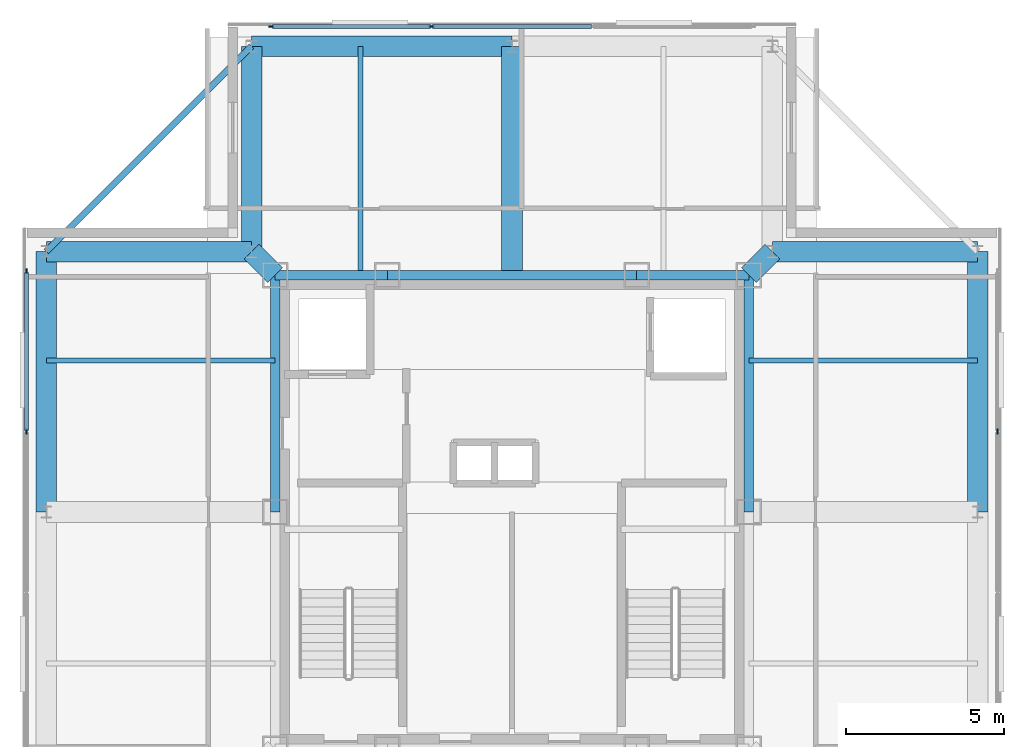
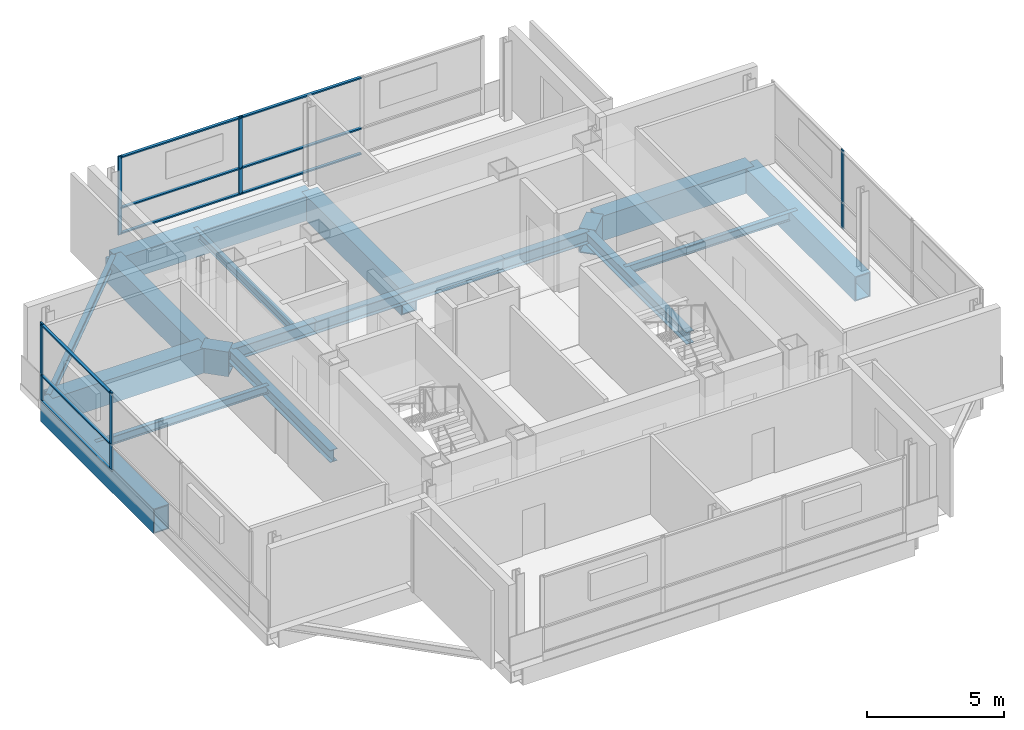
# One storey, part 4 of 10: 18 beams, 14 members, 3 elements without a shape of their own.
"""IFC4 building model written with IfcOpenShell, lengths in metres."""

from ifc_helpers import new_model, si_unit, direction, frame, origin, origin_2d, place, context, subcontext, project, spatial, rectangle, hollow_rectangle, i_section, extrude, material, layer, layer_set, material_profile, profile_set, type_object, element, aggregate, save


model = new_model("IFC4")

# Units and contexts
model_context = context("Model", 3, precision=1e-05, world=origin(), true_north=direction((0.0, 1.0)))
body_context = subcontext(model_context, "Body", "Model", "MODEL_VIEW")
ifc_project = project(units=[si_unit("LENGTHUNIT", "METRE"), si_unit("AREAUNIT", "SQUARE_METRE"), si_unit("VOLUMEUNIT", "CUBIC_METRE"), si_unit("PLANEANGLEUNIT", "RADIAN"), si_unit("MASSUNIT", "GRAM", prefix="KILO")], contexts=[model_context])

# Site, building, storey
site_placement = place(None, origin())
site = spatial("IfcSite", under=ifc_project, at=site_placement, CompositionType="ELEMENT")
building_placement = place(site_placement, origin())
building = spatial("IfcBuilding", under=site, at=building_placement, Name="Trevonay Congress Spire", CompositionType="ELEMENT")
storey_placement = place(building_placement, frame((0.0, 0.0, 319.800048828125)))
storey = spatial("IfcBuildingStorey", under=building, at=storey_placement, Name="L84", CompositionType="ELEMENT", Elevation=319.800048828125)

# Beams
ifc_material_1 = material(Name="Steel ASTM A572 Grade 50", Category="steel")
ifc_material_profile_1 = material_profile(ifc_material_1, i_section(OverallWidth=0.31201171875, OverallDepth=0.54296875, WebThickness=0.0126953125, FlangeThickness=0.020263671875, FilletRadius=0.014892578125, at=origin_2d()), Name="W530x150")
ifc_profile_set_1 = profile_set([ifc_material_profile_1], Name="Steel ASTM A572 Grade 50")
beam_type_1 = type_object("IfcBeamType", Name="BM-GIRD-W530X150", PredefinedType="BEAM", material=ifc_profile_set_1)
beam_1_placement = place(storey_placement, frame((-7.5, 7.5, -0.551513671875), z_axis=(1.0, 0.0, 0.0), x_axis=(0.0, 1.0, 0.0)))
element("IfcBeam", 1, at=beam_1_placement, inside=storey, type_object=beam_type_1, Name="L84 structural beam BM-L84-CR-N1", PredefinedType="BEAM", context=body_context, shape_type="SweptSolid", body=[
    extrude(i_section(OverallWidth=0.31201171875, OverallDepth=0.54296875, WebThickness=0.0126953125, FlangeThickness=0.020263671875, FilletRadius=0.014892578125, at=origin_2d()), origin(), (0.0, 0.0, 1.0), 3.550048828125),
])
beam_2_placement = place(storey_placement, frame((-3.949951171875, 7.5, -0.551513671875), z_axis=(1.0, 0.0, 0.0), x_axis=(0.0, 1.0, 0.0)))
element("IfcBeam", 2, at=beam_2_placement, inside=storey, type_object=beam_type_1, Name="L84 structural beam BM-L84-CR-N2", PredefinedType="BEAM", context=body_context, shape_type="SweptSolid", body=[
    extrude(i_section(OverallWidth=0.31201171875, OverallDepth=0.54296875, WebThickness=0.0126953125, FlangeThickness=0.020263671875, FilletRadius=0.014892578125, at=origin_2d()), origin(), (0.0, 0.0, 1.0), 7.89990234375),
])
beam_3_placement = place(storey_placement, frame((3.949951171875, 7.5, -0.551513671875), z_axis=(1.0, 0.0, 0.0), x_axis=(0.0, 1.0, 0.0)))
element("IfcBeam", 3, at=beam_3_placement, inside=storey, type_object=beam_type_1, Name="L84 structural beam BM-L84-CR-N3", PredefinedType="BEAM", context=body_context, shape_type="SweptSolid", body=[
    extrude(i_section(OverallWidth=0.31201171875, OverallDepth=0.54296875, WebThickness=0.0126953125, FlangeThickness=0.020263671875, FilletRadius=0.014892578125, at=origin_2d()), origin(), (0.0, 0.0, 1.0), 3.550048828125),
])
for number, where, z_axis, x_axis, name in (
    (4, (-7.5, 0.0, -0.551513671875), (0.0, 1.0, 0.0), (-1.0, 0.0, 0.0), "L84 structural beam BM-L84-CR-W2"),
    (5, (7.5, 0.0, -0.551513671875), (0.0, 1.0, 0.0), (-1.0, 0.0, 0.0), "L84 structural beam BM-L84-CR-E2"),
):
    element("IfcBeam", number, at=place(storey_placement, frame(where, z_axis=z_axis, x_axis=x_axis)), inside=storey, type_object=beam_type_1, Name=name, PredefinedType="BEAM", context=body_context, shape_type="SweptSolid", body=[
        extrude(i_section(OverallWidth=0.31201171875, OverallDepth=0.54296875, WebThickness=0.0126953125, FlangeThickness=0.020263671875, FilletRadius=0.014892578125, at=origin_2d()), origin(), (0.0, 0.0, 1.0), 7.5),
    ])
ifc_material_profile_2 = material_profile(ifc_material_1, hollow_rectangle(XDim=0.64990234375, YDim=1.10009765625, WallThickness=0.044921875, at=origin_2d()), Name="BOX 1100x650x45")
ifc_profile_set_2 = profile_set([ifc_material_profile_2], Name="Steel ASTM A572 Grade 50")
beam_type_2 = type_object("IfcBeamType", Name="BM-RING-BOX1100", PredefinedType="BEAM", material=ifc_profile_set_2)
for number, where, z_axis, x_axis, name in (
    (6, (-8.25, 14.75, -0.830078125), (1.0, 0.0, 0.0), (0.0, 1.0, 0.0), "L84 structural beam BM-L84-PN1"),
    (7, (-14.75, 0.0, -0.830078125), (0.0, 1.0, 0.0), (-1.0, 0.0, 0.0), "L84 structural beam BM-L84-PW2"),
    (8, (14.75, 0.0, -0.830078125), (0.0, 1.0, 0.0), (-1.0, 0.0, 0.0), "L84 structural beam BM-L84-PE2"),
):
    element("IfcBeam", number, at=place(storey_placement, frame(where, z_axis=z_axis, x_axis=x_axis)), inside=storey, type_object=beam_type_2, Name=name, PredefinedType="BEAM", context=body_context, shape_type="SweptSolid", body=[
        extrude(hollow_rectangle(XDim=0.64990234375, YDim=1.10009765625, WallThickness=0.044921875, at=origin_2d()), origin(), (0.0, 0.0, 1.0), 8.25),
    ])
for number, where, z_axis, x_axis, name in (
    (9, (14.75, 8.25, -0.830078125), (-1.0, 0.0, 0.0), (0.0, -1.0, 0.0), "L84 structural beam BM-L84-N2NE"),
    (10, (-8.25, 14.75, -0.830078125), (0.0, -1.0, 0.0), (1.0, 0.0, 0.0), "L84 structural beam BM-L84-N1NW"),
    (11, (-14.75, 8.25, -0.830078125), (1.0, 0.0, 0.0), (0.0, 1.0, 0.0), "L84 structural beam BM-L84-N2NW"),
):
    element("IfcBeam", number, at=place(storey_placement, frame(where, z_axis=z_axis, x_axis=x_axis)), inside=storey, type_object=beam_type_2, Name=name, PredefinedType="BEAM", context=body_context, shape_type="SweptSolid", body=[
        extrude(hollow_rectangle(XDim=0.64990234375, YDim=1.10009765625, WallThickness=0.044921875, at=origin_2d()), origin(), (0.0, 0.0, 1.0), 6.5),
    ])
ifc_material_profile_3 = material_profile(ifc_material_1, hollow_rectangle(XDim=0.64990234375, YDim=1.10009765625, WallThickness=0.044921875, at=origin_2d()), Name="BOX 1100x650x45")
ifc_profile_set_3 = profile_set([ifc_material_profile_3], Name="Steel ASTM A572 Grade 50")
beam_type_3 = type_object("IfcBeamType", Name="BM-XFER-BOX1100", PredefinedType="BEAM", material=ifc_profile_set_3)
for number, where, z_axis, x_axis, name in (
    (12, (7.5, 7.5, -0.830078125), (0.707106781187, 0.707106781187, 0.0), (-0.707106781187, 0.707106781187, 0.0), "L84 structural beam BM-L84-CDNE"),
    (13, (-7.5, 7.5, -0.830078125), (-0.707106781187, 0.707106781187, 0.0), (-0.707106781187, -0.707106781187, 0.0), "L84 structural beam BM-L84-CDNW"),
):
    element("IfcBeam", number, at=place(storey_placement, frame(where, z_axis=z_axis, x_axis=x_axis)), inside=storey, type_object=beam_type_3, Name=name, PredefinedType="BEAM", context=body_context, shape_type="SweptSolid", body=[
        extrude(hollow_rectangle(XDim=0.64990234375, YDim=1.10009765625, WallThickness=0.044921875, at=origin_2d()), origin(), (0.0, 0.0, 1.0), 1.060546875),
    ])
beam_4_placement = place(storey_placement, frame((0.0, 7.5, -0.830078125), z_axis=(0.0, 1.0, 0.0), x_axis=(-1.0, 0.0, 0.0)))
element("IfcBeam", 14, at=beam_4_placement, inside=storey, type_object=beam_type_3, Name="L84 structural beam BM-L84-GC-N", PredefinedType="BEAM", context=body_context, shape_type="SweptSolid", body=[
    extrude(hollow_rectangle(XDim=0.64990234375, YDim=1.10009765625, WallThickness=0.044921875, at=origin_2d()), origin(), (0.0, 0.0, 1.0), 7.25),
])

# Curtain wall, members
ifc_material_2 = material(Name="Pale Anodised Aluminium EN AW-6063-T6", Category="aluminium")
ifc_layer = layer(ifc_material_2, 0.159912109375, Name="Pale Anodised Aluminium EN AW-6063-T6")
ifc_layer_set = layer_set([ifc_layer], Name="Pale Anodised Aluminium EN AW-6063-T6")
curtain_wall_type = type_object("IfcCurtainWallType", Name="CW-SYS06-CROWN-PALE-METAL", PredefinedType="NOTDEFINED", material=ifc_layer_set)
curtain_wall_1_placement = place(storey_placement, origin())
curtain_wall_1 = element("IfcCurtainWall", 15, at=curtain_wall_1_placement, inside=storey, type_object=curtain_wall_type, Name="L84 N unitised curtain wall", PredefinedType="NOTDEFINED")
ifc_material_profile_4 = material_profile(ifc_material_2, rectangle(XDim=0.06005859375, YDim=0.159912109375, at=origin_2d()), Name="CW-MULLION-160-ALUMINIUM")
ifc_profile_set_4 = profile_set([ifc_material_profile_4], Name="Pale Anodised Aluminium EN AW-6063-T6")
member_type_1 = type_object("IfcMemberType", Name="CW-MULLION-160-ALUMINIUM", PredefinedType="MULLION", material=ifc_profile_set_4)
member_1_placement = place(storey_placement, frame((-7.6201171875, 15.3798828125, 0.0), z_axis=(0.0, 0.0, 1.0), x_axis=(0.0, 1.0, 0.0)))
member_1 = element("IfcMember", 16, at=member_1_placement, type_object=member_type_1, Name="CW06 mullion 1", PredefinedType="MULLION", context=body_context, shape_type="SweptSolid", body=[
    extrude(rectangle(XDim=0.06005859375, YDim=0.159912109375, at=origin_2d()), origin(), (0.0, 0.0, 1.0), 3.5),
])
member_2_placement = place(storey_placement, frame((-2.550048828125, 15.3798828125, 0.0), z_axis=(0.0, 0.0, 1.0), x_axis=(0.0, 1.0, 0.0)))
member_2 = element("IfcMember", 17, at=member_2_placement, type_object=member_type_1, Name="CW06 mullion 2", PredefinedType="MULLION", context=body_context, shape_type="SweptSolid", body=[
    extrude(rectangle(XDim=0.06005859375, YDim=0.159912109375, at=origin_2d()), origin(), (0.0, 0.0, 1.0), 3.5),
])

curtain_wall_2_placement = place(storey_placement, origin())
curtain_wall_2 = element("IfcCurtainWall", 18, at=curtain_wall_2_placement, inside=storey, type_object=curtain_wall_type, Name="L84 W unitised curtain wall", PredefinedType="NOTDEFINED")
member_3_placement = place(storey_placement, frame((-15.3798828125, 2.550048828125, 0.0), z_axis=(0.0, 0.0, 1.0), x_axis=(-1.0, 0.0, 0.0)))
member_3 = element("IfcMember", 19, at=member_3_placement, type_object=member_type_1, Name="CW06 mullion 3", PredefinedType="MULLION", context=body_context, shape_type="SweptSolid", body=[
    extrude(rectangle(XDim=0.06005859375, YDim=0.159912109375, at=origin_2d()), origin(), (0.0, 0.0, 1.0), 3.5),
])
member_4_placement = place(storey_placement, frame((-15.3798828125, 7.6201171875, 0.0), z_axis=(0.0, 0.0, 1.0), x_axis=(-1.0, 0.0, 0.0)))
member_4 = element("IfcMember", 20, at=member_4_placement, type_object=member_type_1, Name="CW06 mullion 4", PredefinedType="MULLION", context=body_context, shape_type="SweptSolid", body=[
    extrude(rectangle(XDim=0.06005859375, YDim=0.159912109375, at=origin_2d()), origin(), (0.0, 0.0, 1.0), 3.5),
])

# Curtain wall, member
curtain_wall_3_placement = place(storey_placement, origin())
curtain_wall_3 = element("IfcCurtainWall", 21, at=curtain_wall_3_placement, inside=storey, type_object=curtain_wall_type, Name="L84 E unitised curtain wall", PredefinedType="NOTDEFINED")
member_5_placement = place(storey_placement, frame((15.3798828125, 2.550048828125, 0.0), z_axis=(0.0, 0.0, 1.0), x_axis=(-1.0, 0.0, 0.0)))
member_5 = element("IfcMember", 22, at=member_5_placement, type_object=member_type_1, Name="CW06 mullion 3", PredefinedType="MULLION", context=body_context, shape_type="SweptSolid", body=[
    extrude(rectangle(XDim=0.06005859375, YDim=0.159912109375, at=origin_2d()), origin(), (0.0, 0.0, 1.0), 3.5),
])
aggregate(curtain_wall_3, [member_5])

# Member
ifc_material_profile_5 = material_profile(ifc_material_2, rectangle(XDim=0.1201171875, YDim=0.06005859375, at=origin_2d()), Name="CW-TRANSOM-120-ALUMINIUM")
ifc_profile_set_5 = profile_set([ifc_material_profile_5], Name="Pale Anodised Aluminium EN AW-6063-T6")
member_type_2 = type_object("IfcMemberType", Name="CW-TRANSOM-120-ALUMINIUM", PredefinedType="USERDEFINED", material=ifc_profile_set_5)
member_6_placement = place(storey_placement, frame((-7.590087890625, 15.3798828125, 0.06005859375), z_axis=(1.0, 0.0, 0.0), x_axis=(0.0, 1.0, 0.0)))
member_6 = element("IfcMember", 23, at=member_6_placement, type_object=member_type_2, Name="CW06 transom 1.1", ObjectType="TRANSOM", PredefinedType="USERDEFINED", context=body_context, shape_type="SweptSolid", body=[
    extrude(rectangle(XDim=0.1201171875, YDim=0.06005859375, at=origin_2d()), origin(), (0.0, 0.0, 1.0), 5.010009765625),
])

member_7_placement = place(storey_placement, frame((-7.590087890625, 15.3798828125, 1.18994140625), z_axis=(1.0, 0.0, 0.0), x_axis=(0.0, 1.0, 0.0)))
member_7 = element("IfcMember", 24, at=member_7_placement, type_object=member_type_2, Name="CW06 transom 1.2", ObjectType="TRANSOM", PredefinedType="USERDEFINED", context=body_context, shape_type="SweptSolid", body=[
    extrude(rectangle(XDim=0.1201171875, YDim=0.06005859375, at=origin_2d()), origin(), (0.0, 0.0, 1.0), 5.010009765625),
])

member_8_placement = place(storey_placement, frame((-7.590087890625, 15.3798828125, 3.43994140625), z_axis=(1.0, 0.0, 0.0), x_axis=(0.0, 1.0, 0.0)))
member_8 = element("IfcMember", 25, at=member_8_placement, type_object=member_type_2, Name="CW06 transom 1.3", ObjectType="TRANSOM", PredefinedType="USERDEFINED", context=body_context, shape_type="SweptSolid", body=[
    extrude(rectangle(XDim=0.1201171875, YDim=0.06005859375, at=origin_2d()), origin(), (0.0, 0.0, 1.0), 5.010009765625),
])

member_9_placement = place(storey_placement, frame((-2.52001953125, 15.3798828125, 0.06005859375), z_axis=(1.0, 0.0, 0.0), x_axis=(0.0, 1.0, 0.0)))
member_9 = element("IfcMember", 26, at=member_9_placement, type_object=member_type_2, Name="CW06 transom 2.1", ObjectType="TRANSOM", PredefinedType="USERDEFINED", context=body_context, shape_type="SweptSolid", body=[
    extrude(rectangle(XDim=0.1201171875, YDim=0.06005859375, at=origin_2d()), origin(), (0.0, 0.0, 1.0), 5.0400390625),
])

member_10_placement = place(storey_placement, frame((-2.52001953125, 15.3798828125, 1.18994140625), z_axis=(1.0, 0.0, 0.0), x_axis=(0.0, 1.0, 0.0)))
member_10 = element("IfcMember", 27, at=member_10_placement, type_object=member_type_2, Name="CW06 transom 2.2", ObjectType="TRANSOM", PredefinedType="USERDEFINED", context=body_context, shape_type="SweptSolid", body=[
    extrude(rectangle(XDim=0.1201171875, YDim=0.06005859375, at=origin_2d()), origin(), (0.0, 0.0, 1.0), 5.0400390625),
])

member_11_placement = place(storey_placement, frame((-2.52001953125, 15.3798828125, 3.43994140625), z_axis=(1.0, 0.0, 0.0), x_axis=(0.0, 1.0, 0.0)))
member_11 = element("IfcMember", 28, at=member_11_placement, type_object=member_type_2, Name="CW06 transom 2.3", ObjectType="TRANSOM", PredefinedType="USERDEFINED", context=body_context, shape_type="SweptSolid", body=[
    extrude(rectangle(XDim=0.1201171875, YDim=0.06005859375, at=origin_2d()), origin(), (0.0, 0.0, 1.0), 5.0400390625),
])

aggregate(curtain_wall_1, [member_1, member_2, member_6, member_7, member_8, member_9, member_10, member_11])

member_12_placement = place(storey_placement, frame((-15.3798828125, 2.580078125, 0.06005859375), z_axis=(0.0, 1.0, 0.0), x_axis=(-1.0, 0.0, 0.0)))
member_12 = element("IfcMember", 29, at=member_12_placement, type_object=member_type_2, Name="CW06 transom 3.1", ObjectType="TRANSOM", PredefinedType="USERDEFINED", context=body_context, shape_type="SweptSolid", body=[
    extrude(rectangle(XDim=0.1201171875, YDim=0.06005859375, at=origin_2d()), origin(), (0.0, 0.0, 1.0), 5.010009765625),
])

member_13_placement = place(storey_placement, frame((-15.3798828125, 2.580078125, 1.18994140625), z_axis=(0.0, 1.0, 0.0), x_axis=(-1.0, 0.0, 0.0)))
member_13 = element("IfcMember", 30, at=member_13_placement, type_object=member_type_2, Name="CW06 transom 3.2", ObjectType="TRANSOM", PredefinedType="USERDEFINED", context=body_context, shape_type="SweptSolid", body=[
    extrude(rectangle(XDim=0.1201171875, YDim=0.06005859375, at=origin_2d()), origin(), (0.0, 0.0, 1.0), 5.010009765625),
])

member_14_placement = place(storey_placement, frame((-15.3798828125, 2.580078125, 3.43994140625), z_axis=(0.0, 1.0, 0.0), x_axis=(-1.0, 0.0, 0.0)))
member_14 = element("IfcMember", 31, at=member_14_placement, type_object=member_type_2, Name="CW06 transom 3.3", ObjectType="TRANSOM", PredefinedType="USERDEFINED", context=body_context, shape_type="SweptSolid", body=[
    extrude(rectangle(XDim=0.1201171875, YDim=0.06005859375, at=origin_2d()), origin(), (0.0, 0.0, 1.0), 5.010009765625),
])

aggregate(curtain_wall_2, [member_3, member_4, member_12, member_13, member_14])

# Beams
ifc_material_profile_6 = material_profile(ifc_material_1, i_section(OverallWidth=0.172119140625, OverallDepth=0.35791015625, WebThickness=0.0078125, FlangeThickness=0.01318359375, FilletRadius=0.011962890625, at=origin_2d()), Name="W360x57.8")
ifc_profile_set_6 = profile_set([ifc_material_profile_6], Name="Steel ASTM A572 Grade 50")
beam_type_4 = type_object("IfcBeamType", Name="JS-COMP-W360X57", PredefinedType="JOIST", material=ifc_profile_set_6)
for number, where, z_axis, x_axis, name in (
    (32, (-4.800048828125, 7.5, -0.458984375), (0.0, 1.0, 0.0), (-1.0, 0.0, 0.0), "L84 structural beam JS-L84-NS-N1"),
    (33, (-14.75, 4.800048828125, -0.458984375), (1.0, 0.0, 0.0), (0.0, 1.0, 0.0), "L84 structural beam JS-L84-EW-W3"),
    (34, (7.5, 4.800048828125, -0.458984375), (1.0, 0.0, 0.0), (0.0, 1.0, 0.0), "L84 structural beam JS-L84-EW-E3"),
):
    element("IfcBeam", number, at=place(storey_placement, frame(where, z_axis=z_axis, x_axis=x_axis)), inside=storey, type_object=beam_type_4, Name=name, PredefinedType="JOIST", context=body_context, shape_type="SweptSolid", body=[
        extrude(i_section(OverallWidth=0.172119140625, OverallDepth=0.35791015625, WebThickness=0.0078125, FlangeThickness=0.01318359375, FilletRadius=0.011962890625, at=origin_2d()), origin(), (0.0, 0.0, 1.0), 7.25),
    ])
ifc_material_profile_7 = material_profile(ifc_material_1, i_section(OverallWidth=0.205078125, OverallDepth=0.35400390625, WebThickness=0.009521484375, FlangeThickness=0.016845703125, FilletRadius=0.011962890625, at=origin_2d()), Name="W360x79")
ifc_profile_set_7 = profile_set([ifc_material_profile_7], Name="Steel ASTM A572 Grade 50")
beam_type_5 = type_object("IfcBeamType", Name="SPB-HSS350", PredefinedType="SPANDREL", material=ifc_profile_set_7)
beam_5_placement = place(storey_placement, frame((-8.25, 14.75, -0.45703125), z_axis=(-0.707106781187, -0.707106781187, 0.0), x_axis=(0.707106781187, -0.707106781187, 0.0)))
element("IfcBeam", 35, at=beam_5_placement, inside=storey, type_object=beam_type_5, Name="L84 structural beam SPB-L84-NW", PredefinedType="SPANDREL", context=body_context, shape_type="SweptSolid", body=[
    extrude(i_section(OverallWidth=0.205078125, OverallDepth=0.35400390625, WebThickness=0.009521484375, FlangeThickness=0.016845703125, FilletRadius=0.011962890625, at=origin_2d()), origin(), (0.0, 0.0, 1.0), 9.1923828125),
])

save(model, "model.ifc")
